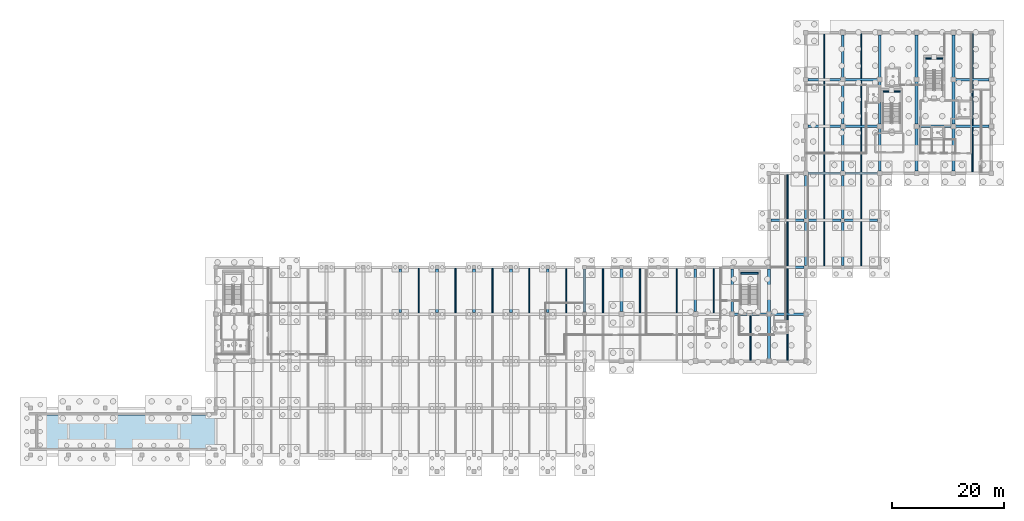
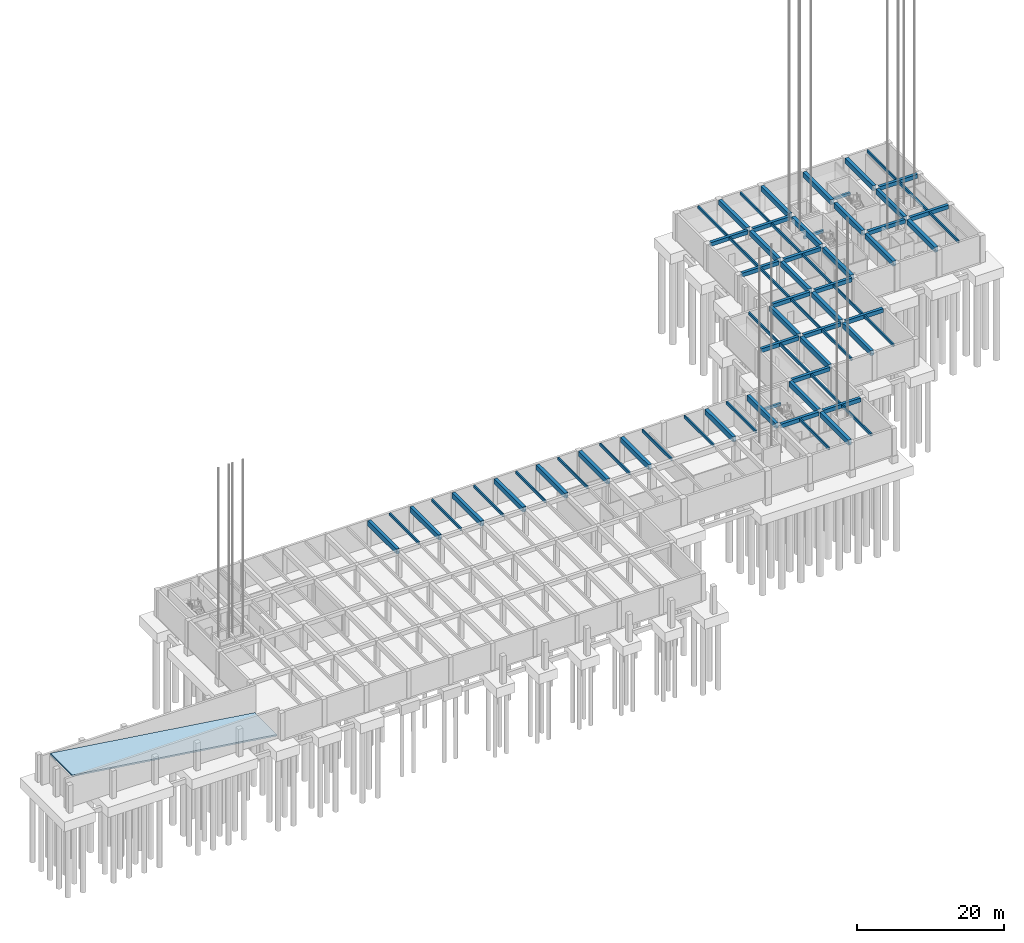
# One storey, part 7 of 44: 72 beams, 1 slab.
"""IFC4 building model written with IfcOpenShell, lengths in metres."""

from ifc_helpers import new_model, si_unit, direction, frame, origin, origin_2d, place, context, subcontext, project, spatial, polyline, rectangle, outline, extrude, material, layer, layer_set, material_profile, profile_set, type_object, element, save


model = new_model("IFC4")

# Units and contexts
model_context = context("Model", 3, precision=1e-05, world=origin(), true_north=direction((0.0, 1.0)))
body_context = subcontext(model_context, "Body", "Model", "MODEL_VIEW")
ifc_project = project(units=[si_unit("LENGTHUNIT", "METRE"), si_unit("AREAUNIT", "SQUARE_METRE"), si_unit("VOLUMEUNIT", "CUBIC_METRE"), si_unit("PLANEANGLEUNIT", "RADIAN"), si_unit("MASSUNIT", "GRAM", prefix="KILO")], contexts=[model_context])

# Site, building, storey
site_placement = place(None, origin())
site = spatial("IfcSite", under=ifc_project, at=site_placement, CompositionType="ELEMENT")
building_placement = place(site_placement, origin())
building = spatial("IfcBuilding", under=site, at=building_placement, Name="Kolvaren Faculty of Natural Sciences", CompositionType="ELEMENT")
storey_placement = place(building_placement, frame((0.0, 0.0, -4.5)))
storey = spatial("IfcBuildingStorey", under=building, at=storey_placement, Name="B01", CompositionType="ELEMENT", Elevation=-4.5)

# Beams
ifc_material_1 = material(Name="Concrete C40/50", Category="concrete")
ifc_material_profile_1 = material_profile(ifc_material_1, rectangle(XDim=0.300048828125, YDim=0.449951171875, at=origin_2d()), Name="RC LNT 300x450")
ifc_profile_set_1 = profile_set([ifc_material_profile_1], Name="Concrete C40/50")
beam_type_1 = type_object("IfcBeamType", Name="CoreCouplingLintel_300x450", PredefinedType="LINTEL", material=ifc_profile_set_1)
beam_1_placement = place(storey_placement, frame((160.22509765625, 79.580078125, 1.824951171875), z_axis=(1.0, 0.0, 0.0), x_axis=(0.0, 1.0, 0.0)))
element("IfcBeam", 1, at=beam_1_placement, inside=storey, type_object=beam_type_1, Name="B01 ST-1 half-landing support lintel", PredefinedType="LINTEL", context=body_context, shape_type="SweptSolid", body=[
    extrude(rectangle(XDim=0.300048828125, YDim=0.449951171875, at=origin_2d()), origin(), (0.0, 0.0, 1.0), 3.0498046875),
])
for number, where, z_axis, x_axis, name in (
    (2, (152.625, 73.679931640625, 1.824951171875), (1.0, 0.0, 0.0), (0.0, 1.0, 0.0), "B01 ST-2 half-landing support lintel"),
    (3, (127.175048828125, 41.1298828125, 1.824951171875), (1.0, 0.0, 0.0), (0.0, 1.0, 0.0), "B01 ST-3 half-landing support lintel"),
):
    element("IfcBeam", number, at=place(storey_placement, frame(where, z_axis=z_axis, x_axis=x_axis)), inside=storey, type_object=beam_type_1, Name=name, PredefinedType="LINTEL", context=body_context, shape_type="SweptSolid", body=[
        extrude(rectangle(XDim=0.300048828125, YDim=0.449951171875, at=origin_2d()), origin(), (0.0, 0.0, 1.0), 3.050048828125),
    ])
ifc_material_2 = material(Name="Concrete C35/45", Category="concrete")
ifc_material_profile_2 = material_profile(ifc_material_2, rectangle(XDim=0.449951171875, YDim=0.64990234375, at=origin_2d()), Name="RC BM 450x650")
ifc_profile_set_2 = profile_set([ifc_material_profile_2], Name="Concrete C35/45")
beam_type_2 = type_object("IfcBeamType", Name="GridBeam_450x650", PredefinedType="BEAM", material=ifc_profile_set_2)
beam_2_placement = place(storey_placement, frame((125.949951171875, 33.800048828125, 4.175048828125), z_axis=(1.0, 0.0, 0.0), x_axis=(0.0, 1.0, 0.0)))
element("IfcBeam", 4, at=beam_2_placement, inside=storey, type_object=beam_type_2, Name="B01 beam BM-65 on grid E", PredefinedType="BEAM", context=body_context, shape_type="SweptSolid", body=[
    extrude(rectangle(XDim=0.449951171875, YDim=0.64990234375, at=origin_2d()), origin(), (0.0, 0.0, 1.0), 5.900146484375),
])
for number, where, z_axis, x_axis, name in (
    (5, (132.550048828125, 33.800048828125, 4.175048828125), (1.0, 0.0, 0.0), (0.0, 1.0, 0.0), "B01 beam BM-65 on grid E"),
    (6, (132.550048828125, 42.199951171875, 4.175048828125), (1.0, 0.0, 0.0), (0.0, 1.0, 0.0), "B01 beam BM-65 on grid F"),
    (7, (132.550048828125, 50.60009765625, 4.175048828125), (1.0, 0.0, 0.0), (0.0, 1.0, 0.0), "B01 beam BM-65 on grid G"),
):
    element("IfcBeam", number, at=place(storey_placement, frame(where, z_axis=z_axis, x_axis=x_axis)), inside=storey, type_object=beam_type_2, Name=name, PredefinedType="BEAM", context=body_context, shape_type="SweptSolid", body=[
        extrude(rectangle(XDim=0.449951171875, YDim=0.64990234375, at=origin_2d()), origin(), (0.0, 0.0, 1.0), 5.89990234375),
    ])
beam_3_placement = place(storey_placement, frame((139.14990234375, 50.60009765625, 4.175048828125), z_axis=(1.0, 0.0, 0.0), x_axis=(0.0, 1.0, 0.0)))
element("IfcBeam", 8, at=beam_3_placement, inside=storey, type_object=beam_type_2, Name="B01 beam BM-65 on grid G", PredefinedType="BEAM", context=body_context, shape_type="SweptSolid", body=[
    extrude(rectangle(XDim=0.449951171875, YDim=0.64990234375, at=origin_2d()), origin(), (0.0, 0.0, 1.0), 5.900146484375),
])
beam_4_placement = place(storey_placement, frame((145.75, 50.60009765625, 4.175048828125), z_axis=(1.0, 0.0, 0.0), x_axis=(0.0, 1.0, 0.0)))
element("IfcBeam", 9, at=beam_4_placement, inside=storey, type_object=beam_type_2, Name="B01 beam BM-65 on grid G", PredefinedType="BEAM", context=body_context, shape_type="SweptSolid", body=[
    extrude(rectangle(XDim=0.449951171875, YDim=0.64990234375, at=origin_2d()), origin(), (0.0, 0.0, 1.0), 5.89990234375),
])
for number, where, z_axis, x_axis, name in (
    (10, (139.199951171875, 59.0, 4.175048828125), (1.0, 0.0, 0.0), (0.0, 1.0, 0.0), "B01 beam BM-65 on grid H"),
    (11, (145.800048828125, 59.0, 4.175048828125), (1.0, 0.0, 0.0), (0.0, 1.0, 0.0), "B01 beam BM-65 on grid H"),
    (12, (139.199951171875, 67.39990234375, 4.175048828125), (1.0, 0.0, 0.0), (0.0, 1.0, 0.0), "B01 beam BM-65 on grid J"),
    (13, (145.800048828125, 67.39990234375, 4.175048828125), (1.0, 0.0, 0.0), (0.0, 1.0, 0.0), "B01 beam BM-65 on grid J"),
    (14, (159.0, 67.39990234375, 4.175048828125), (1.0, 0.0, 0.0), (0.0, 1.0, 0.0), "B01 beam BM-65 on grid J"),
):
    element("IfcBeam", number, at=place(storey_placement, frame(where, z_axis=z_axis, x_axis=x_axis)), inside=storey, type_object=beam_type_2, Name=name, PredefinedType="BEAM", context=body_context, shape_type="SweptSolid", body=[
        extrude(rectangle(XDim=0.449951171875, YDim=0.64990234375, at=origin_2d()), origin(), (0.0, 0.0, 1.0), 5.800048828125),
    ])
beam_5_placement = place(storey_placement, frame((165.60009765625, 67.39990234375, 4.175048828125), z_axis=(1.0, 0.0, 0.0), x_axis=(0.0, 1.0, 0.0)))
element("IfcBeam", 15, at=beam_5_placement, inside=storey, type_object=beam_type_2, Name="B01 beam BM-65 on grid J", PredefinedType="BEAM", context=body_context, shape_type="SweptSolid", body=[
    extrude(rectangle(XDim=0.449951171875, YDim=0.64990234375, at=origin_2d()), origin(), (0.0, 0.0, 1.0), 6.0),
])
for number, where, z_axis, x_axis, name in (
    (16, (139.199951171875, 75.800048828125, 4.175048828125), (1.0, 0.0, 0.0), (0.0, 1.0, 0.0), "B01 beam BM-65 on grid K"),
    (17, (145.800048828125, 75.800048828125, 4.175048828125), (1.0, 0.0, 0.0), (0.0, 1.0, 0.0), "B01 beam BM-65 on grid K"),
):
    element("IfcBeam", number, at=place(storey_placement, frame(where, z_axis=z_axis, x_axis=x_axis)), inside=storey, type_object=beam_type_2, Name=name, PredefinedType="BEAM", context=body_context, shape_type="SweptSolid", body=[
        extrude(rectangle(XDim=0.449951171875, YDim=0.64990234375, at=origin_2d()), origin(), (0.0, 0.0, 1.0), 5.800048828125),
    ])
beam_6_placement = place(storey_placement, frame((165.60009765625, 75.800048828125, 4.175048828125), z_axis=(1.0, 0.0, 0.0), x_axis=(0.0, 1.0, 0.0)))
element("IfcBeam", 18, at=beam_6_placement, inside=storey, type_object=beam_type_2, Name="B01 beam BM-65 on grid K", PredefinedType="BEAM", context=body_context, shape_type="SweptSolid", body=[
    extrude(rectangle(XDim=0.449951171875, YDim=0.64990234375, at=origin_2d()), origin(), (0.0, 0.0, 1.0), 6.0),
])
ifc_material_profile_3 = material_profile(ifc_material_2, rectangle(XDim=0.219970703125, YDim=0.449951171875, at=origin_2d()), Name="RC JST 220x450")
ifc_profile_set_3 = profile_set([ifc_material_profile_3], Name="Concrete C35/45")
beam_type_3 = type_object("IfcBeamType", Name="OfficeRibJoist_220x450", PredefinedType="JOIST", material=ifc_profile_set_3)
for number, where, z_axis, x_axis, name in (
    (19, (69.5, 34.02490234375, 4.27490234375), (0.0, 1.0, 0.0), (-1.0, 0.0, 0.0), "B01 ribbed laboratory slab joist JS-45"),
    (20, (76.10009765625, 34.02490234375, 4.27490234375), (0.0, 1.0, 0.0), (-1.0, 0.0, 0.0), "B01 ribbed laboratory slab joist JS-45"),
    (21, (82.699951171875, 34.02490234375, 4.27490234375), (0.0, 1.0, 0.0), (-1.0, 0.0, 0.0), "B01 ribbed laboratory slab joist JS-45"),
    (22, (89.300048828125, 34.02490234375, 4.27490234375), (0.0, 1.0, 0.0), (-1.0, 0.0, 0.0), "B01 ribbed laboratory slab joist JS-45"),
    (23, (95.89990234375, 34.02490234375, 4.27490234375), (0.0, 1.0, 0.0), (-1.0, 0.0, 0.0), "B01 ribbed laboratory slab joist JS-45"),
    (24, (102.5, 34.02490234375, 4.27490234375), (0.0, 1.0, 0.0), (-1.0, 0.0, 0.0), "B01 ribbed laboratory slab joist JS-45"),
):
    element("IfcBeam", number, at=place(storey_placement, frame(where, z_axis=z_axis, x_axis=x_axis)), inside=storey, type_object=beam_type_3, Name=name, PredefinedType="JOIST", context=body_context, shape_type="SweptSolid", body=[
        extrude(rectangle(XDim=0.219970703125, YDim=0.449951171875, at=origin_2d()), origin(), (0.0, 0.0, 1.0), 8.0),
    ])
for number, where, z_axis, x_axis, name in (
    (25, (109.10009765625, 34.074951171875, 4.27490234375), (0.0, 1.0, 0.0), (-1.0, 0.0, 0.0), "B01 ribbed laboratory slab joist JS-45"),
    (26, (115.699951171875, 34.074951171875, 4.27490234375), (0.0, 1.0, 0.0), (-1.0, 0.0, 0.0), "B01 ribbed laboratory slab joist JS-45"),
):
    element("IfcBeam", number, at=place(storey_placement, frame(where, z_axis=z_axis, x_axis=x_axis)), inside=storey, type_object=beam_type_3, Name=name, PredefinedType="JOIST", context=body_context, shape_type="SweptSolid", body=[
        extrude(rectangle(XDim=0.219970703125, YDim=0.449951171875, at=origin_2d()), origin(), (0.0, 0.0, 1.0), 7.949951171875),
    ])
for number, where, z_axis, x_axis, name in (
    (27, (122.300048828125, 34.02490234375, 4.27490234375), (0.0, 1.0, 0.0), (-1.0, 0.0, 0.0), "B01 ribbed laboratory slab joist JS-45"),
    (28, (128.89990234375, 25.574951171875, 4.27490234375), (0.0, 1.0, 0.0), (-1.0, 0.0, 0.0), "B01 ribbed laboratory slab joist JS-45"),
    (29, (135.5, 25.574951171875, 4.27490234375), (0.0, 1.0, 0.0), (-1.0, 0.0, 0.0), "B01 ribbed laboratory slab joist JS-45"),
):
    element("IfcBeam", number, at=place(storey_placement, frame(where, z_axis=z_axis, x_axis=x_axis)), inside=storey, type_object=beam_type_3, Name=name, PredefinedType="JOIST", context=body_context, shape_type="SweptSolid", body=[
        extrude(rectangle(XDim=0.219970703125, YDim=0.449951171875, at=origin_2d()), origin(), (0.0, 0.0, 1.0), 8.0),
    ])
beam_7_placement = place(storey_placement, frame((135.5, 34.02490234375, 4.27490234375), z_axis=(0.0, 1.0, 0.0), x_axis=(-1.0, 0.0, 0.0)))
element("IfcBeam", 30, at=beam_7_placement, inside=storey, type_object=beam_type_3, Name="B01 ribbed laboratory slab joist JS-45", PredefinedType="JOIST", context=body_context, shape_type="SweptSolid", body=[
    extrude(rectangle(XDim=0.219970703125, YDim=0.449951171875, at=origin_2d()), origin(), (0.0, 0.0, 1.0), 7.9501953125),
])
beam_8_placement = place(storey_placement, frame((135.5, 42.425048828125, 4.27490234375), z_axis=(0.0, 1.0, 0.0), x_axis=(-1.0, 0.0, 0.0)))
element("IfcBeam", 31, at=beam_8_placement, inside=storey, type_object=beam_type_3, Name="B01 ribbed laboratory slab joist JS-45", PredefinedType="JOIST", context=body_context, shape_type="SweptSolid", body=[
    extrude(rectangle(XDim=0.219970703125, YDim=0.449951171875, at=origin_2d()), origin(), (0.0, 0.0, 1.0), 7.949951171875),
])
for number, where, z_axis, x_axis, name in (
    (32, (135.5, 50.824951171875, 4.27490234375), (0.0, 1.0, 0.0), (-1.0, 0.0, 0.0), "B01 ribbed laboratory slab joist JS-45"),
    (33, (142.10009765625, 42.375, 4.27490234375), (0.0, 1.0, 0.0), (-1.0, 0.0, 0.0), "B01 ribbed laboratory slab joist JS-45"),
):
    element("IfcBeam", number, at=place(storey_placement, frame(where, z_axis=z_axis, x_axis=x_axis)), inside=storey, type_object=beam_type_3, Name=name, PredefinedType="JOIST", context=body_context, shape_type="SweptSolid", body=[
        extrude(rectangle(XDim=0.219970703125, YDim=0.449951171875, at=origin_2d()), origin(), (0.0, 0.0, 1.0), 8.0),
    ])
for number, where, z_axis, x_axis, name in (
    (34, (142.10009765625, 50.824951171875, 4.27490234375), (0.0, 1.0, 0.0), (-1.0, 0.0, 0.0), "B01 ribbed laboratory slab joist JS-45"),
    (35, (142.10009765625, 59.22509765625, 4.27490234375), (0.0, 1.0, 0.0), (-1.0, 0.0, 0.0), "B01 ribbed laboratory slab joist JS-45"),
    (36, (142.10009765625, 67.625, 4.27490234375), (0.0, 1.0, 0.0), (-1.0, 0.0, 0.0), "B01 ribbed laboratory slab joist JS-45"),
):
    element("IfcBeam", number, at=place(storey_placement, frame(where, z_axis=z_axis, x_axis=x_axis)), inside=storey, type_object=beam_type_3, Name=name, PredefinedType="JOIST", context=body_context, shape_type="SweptSolid", body=[
        extrude(rectangle(XDim=0.219970703125, YDim=0.449951171875, at=origin_2d()), origin(), (0.0, 0.0, 1.0), 7.949951171875),
    ])
for number, where, z_axis, x_axis, name in (
    (37, (142.10009765625, 76.02490234375, 4.27490234375), (0.0, 1.0, 0.0), (-1.0, 0.0, 0.0), "B01 ribbed laboratory slab joist JS-45"),
    (38, (148.699951171875, 42.375, 4.27490234375), (0.0, 1.0, 0.0), (-1.0, 0.0, 0.0), "B01 ribbed laboratory slab joist JS-45"),
):
    element("IfcBeam", number, at=place(storey_placement, frame(where, z_axis=z_axis, x_axis=x_axis)), inside=storey, type_object=beam_type_3, Name=name, PredefinedType="JOIST", context=body_context, shape_type="SweptSolid", body=[
        extrude(rectangle(XDim=0.219970703125, YDim=0.449951171875, at=origin_2d()), origin(), (0.0, 0.0, 1.0), 8.0),
    ])
for number, where, z_axis, x_axis, name in (
    (39, (148.699951171875, 50.824951171875, 4.27490234375), (0.0, 1.0, 0.0), (-1.0, 0.0, 0.0), "B01 ribbed laboratory slab joist JS-45"),
    (40, (148.699951171875, 59.22509765625, 4.27490234375), (0.0, 1.0, 0.0), (-1.0, 0.0, 0.0), "B01 ribbed laboratory slab joist JS-45"),
    (41, (148.699951171875, 67.625, 4.27490234375), (0.0, 1.0, 0.0), (-1.0, 0.0, 0.0), "B01 ribbed laboratory slab joist JS-45"),
):
    element("IfcBeam", number, at=place(storey_placement, frame(where, z_axis=z_axis, x_axis=x_axis)), inside=storey, type_object=beam_type_3, Name=name, PredefinedType="JOIST", context=body_context, shape_type="SweptSolid", body=[
        extrude(rectangle(XDim=0.219970703125, YDim=0.449951171875, at=origin_2d()), origin(), (0.0, 0.0, 1.0), 7.949951171875),
    ])
for number, where, z_axis, x_axis, name in (
    (42, (148.699951171875, 76.02490234375, 4.27490234375), (0.0, 1.0, 0.0), (-1.0, 0.0, 0.0), "B01 ribbed laboratory slab joist JS-45"),
    (43, (168.60009765625, 59.175048828125, 4.27490234375), (0.0, 1.0, 0.0), (-1.0, 0.0, 0.0), "B01 ribbed laboratory slab joist JS-45"),
):
    element("IfcBeam", number, at=place(storey_placement, frame(where, z_axis=z_axis, x_axis=x_axis)), inside=storey, type_object=beam_type_3, Name=name, PredefinedType="JOIST", context=body_context, shape_type="SweptSolid", body=[
        extrude(rectangle(XDim=0.219970703125, YDim=0.449951171875, at=origin_2d()), origin(), (0.0, 0.0, 1.0), 8.0),
    ])
beam_9_placement = place(storey_placement, frame((168.60009765625, 67.625, 4.27490234375), z_axis=(0.0, 1.0, 0.0), x_axis=(-1.0, 0.0, 0.0)))
element("IfcBeam", 44, at=beam_9_placement, inside=storey, type_object=beam_type_3, Name="B01 ribbed laboratory slab joist JS-45", PredefinedType="JOIST", context=body_context, shape_type="SweptSolid", body=[
    extrude(rectangle(XDim=0.219970703125, YDim=0.449951171875, at=origin_2d()), origin(), (0.0, 0.0, 1.0), 7.949951171875),
])
beam_10_placement = place(storey_placement, frame((168.60009765625, 76.02490234375, 4.27490234375), z_axis=(0.0, 1.0, 0.0), x_axis=(-1.0, 0.0, 0.0)))
element("IfcBeam", 45, at=beam_10_placement, inside=storey, type_object=beam_type_3, Name="B01 ribbed laboratory slab joist JS-45", PredefinedType="JOIST", context=body_context, shape_type="SweptSolid", body=[
    extrude(rectangle(XDim=0.219970703125, YDim=0.449951171875, at=origin_2d()), origin(), (0.0, 0.0, 1.0), 8.0),
])
ifc_material_profile_4 = material_profile(ifc_material_2, rectangle(XDim=0.5, YDim=0.85009765625, at=origin_2d()), Name="RC BM 500x850")
ifc_profile_set_4 = profile_set([ifc_material_profile_4], Name="Concrete C35/45")
beam_type_4 = type_object("IfcBeamType", Name="PrimaryGirder_500x850", PredefinedType="BEAM", material=ifc_profile_set_4)
for number, where, z_axis, x_axis, name in (
    (46, (66.199951171875, 34.10009765625, 4.074951171875), (0.0, 1.0, 0.0), (-1.0, 0.0, 0.0), "B01 girder BG-85 on grid 11"),
    (47, (72.800048828125, 34.10009765625, 4.074951171875), (0.0, 1.0, 0.0), (-1.0, 0.0, 0.0), "B01 girder BG-85 on grid 12"),
    (48, (79.39990234375, 34.10009765625, 4.074951171875), (0.0, 1.0, 0.0), (-1.0, 0.0, 0.0), "B01 girder BG-85 on grid 13"),
    (49, (86.0, 34.10009765625, 4.074951171875), (0.0, 1.0, 0.0), (-1.0, 0.0, 0.0), "B01 girder BG-85 on grid 14"),
    (50, (92.60009765625, 34.10009765625, 4.074951171875), (0.0, 1.0, 0.0), (-1.0, 0.0, 0.0), "B01 girder BG-85 on grid 15"),
):
    element("IfcBeam", number, at=place(storey_placement, frame(where, z_axis=z_axis, x_axis=x_axis)), inside=storey, type_object=beam_type_4, Name=name, PredefinedType="BEAM", context=body_context, shape_type="SweptSolid", body=[
        extrude(rectangle(XDim=0.5, YDim=0.85009765625, at=origin_2d()), origin(), (0.0, 0.0, 1.0), 7.7998046875),
    ])
beam_11_placement = place(storey_placement, frame((99.199951171875, 34.14990234375, 4.074951171875), z_axis=(0.0, 1.0, 0.0), x_axis=(-1.0, 0.0, 0.0)))
element("IfcBeam", 51, at=beam_11_placement, inside=storey, type_object=beam_type_4, Name="B01 girder BG-85 on grid 16", PredefinedType="BEAM", context=body_context, shape_type="SweptSolid", body=[
    extrude(rectangle(XDim=0.5, YDim=0.85009765625, at=origin_2d()), origin(), (0.0, 0.0, 1.0), 7.7001953125),
])
for number, where, z_axis, x_axis, name in (
    (52, (105.800048828125, 34.25, 4.074951171875), (0.0, 1.0, 0.0), (-1.0, 0.0, 0.0), "B01 girder BG-85 on grid 17"),
    (53, (119.0, 34.25, 4.074951171875), (0.0, 1.0, 0.0), (-1.0, 0.0, 0.0), "B01 girder BG-85 on grid 19"),
):
    element("IfcBeam", number, at=place(storey_placement, frame(where, z_axis=z_axis, x_axis=x_axis)), inside=storey, type_object=beam_type_4, Name=name, PredefinedType="BEAM", context=body_context, shape_type="SweptSolid", body=[
        extrude(rectangle(XDim=0.5, YDim=0.85009765625, at=origin_2d()), origin(), (0.0, 0.0, 1.0), 7.60009765625),
    ])
beam_12_placement = place(storey_placement, frame((125.60009765625, 34.14990234375, 4.074951171875), z_axis=(0.0, 1.0, 0.0), x_axis=(-1.0, 0.0, 0.0)))
element("IfcBeam", 54, at=beam_12_placement, inside=storey, type_object=beam_type_4, Name="B01 girder BG-85 on grid 20", PredefinedType="BEAM", context=body_context, shape_type="SweptSolid", body=[
    extrude(rectangle(XDim=0.5, YDim=0.85009765625, at=origin_2d()), origin(), (0.0, 0.0, 1.0), 7.7001953125),
])
beam_13_placement = place(storey_placement, frame((132.199951171875, 25.75, 4.074951171875), z_axis=(0.0, 1.0, 0.0), x_axis=(-1.0, 0.0, 0.0)))
element("IfcBeam", 55, at=beam_13_placement, inside=storey, type_object=beam_type_4, Name="B01 girder BG-85 on grid 21", PredefinedType="BEAM", context=body_context, shape_type="SweptSolid", body=[
    extrude(rectangle(XDim=0.5, YDim=0.85009765625, at=origin_2d()), origin(), (0.0, 0.0, 1.0), 7.699951171875),
])
beam_14_placement = place(storey_placement, frame((132.199951171875, 34.14990234375, 4.074951171875), z_axis=(0.0, 1.0, 0.0), x_axis=(-1.0, 0.0, 0.0)))
element("IfcBeam", 56, at=beam_14_placement, inside=storey, type_object=beam_type_4, Name="B01 girder BG-85 on grid 21", PredefinedType="BEAM", context=body_context, shape_type="SweptSolid", body=[
    extrude(rectangle(XDim=0.5, YDim=0.85009765625, at=origin_2d()), origin(), (0.0, 0.0, 1.0), 7.7001953125),
])
beam_15_placement = place(storey_placement, frame((138.800048828125, 42.550048828125, 4.074951171875), z_axis=(0.0, 1.0, 0.0), x_axis=(-1.0, 0.0, 0.0)))
element("IfcBeam", 57, at=beam_15_placement, inside=storey, type_object=beam_type_4, Name="B01 girder BG-85 on grid 22", PredefinedType="BEAM", context=body_context, shape_type="SweptSolid", body=[
    extrude(rectangle(XDim=0.5, YDim=0.85009765625, at=origin_2d()), origin(), (0.0, 0.0, 1.0), 7.699951171875),
])
beam_16_placement = place(storey_placement, frame((138.800048828125, 50.949951171875, 4.074951171875), z_axis=(0.0, 1.0, 0.0), x_axis=(-1.0, 0.0, 0.0)))
element("IfcBeam", 58, at=beam_16_placement, inside=storey, type_object=beam_type_4, Name="B01 girder BG-85 on grid 22", PredefinedType="BEAM", context=body_context, shape_type="SweptSolid", body=[
    extrude(rectangle(XDim=0.5, YDim=0.85009765625, at=origin_2d()), origin(), (0.0, 0.0, 1.0), 7.650146484375),
])
beam_17_placement = place(storey_placement, frame((145.39990234375, 42.550048828125, 4.074951171875), z_axis=(0.0, 1.0, 0.0), x_axis=(-1.0, 0.0, 0.0)))
element("IfcBeam", 59, at=beam_17_placement, inside=storey, type_object=beam_type_4, Name="B01 girder BG-85 on grid 23", PredefinedType="BEAM", context=body_context, shape_type="SweptSolid", body=[
    extrude(rectangle(XDim=0.5, YDim=0.85009765625, at=origin_2d()), origin(), (0.0, 0.0, 1.0), 7.699951171875),
])
beam_18_placement = place(storey_placement, frame((145.39990234375, 50.949951171875, 4.074951171875), z_axis=(0.0, 1.0, 0.0), x_axis=(-1.0, 0.0, 0.0)))
element("IfcBeam", 60, at=beam_18_placement, inside=storey, type_object=beam_type_4, Name="B01 girder BG-85 on grid 23", PredefinedType="BEAM", context=body_context, shape_type="SweptSolid", body=[
    extrude(rectangle(XDim=0.5, YDim=0.85009765625, at=origin_2d()), origin(), (0.0, 0.0, 1.0), 7.650146484375),
])
beam_19_placement = place(storey_placement, frame((145.39990234375, 59.39990234375, 4.074951171875), z_axis=(0.0, 1.0, 0.0), x_axis=(-1.0, 0.0, 0.0)))
element("IfcBeam", 61, at=beam_19_placement, inside=storey, type_object=beam_type_4, Name="B01 girder BG-85 on grid 23", PredefinedType="BEAM", context=body_context, shape_type="SweptSolid", body=[
    extrude(rectangle(XDim=0.5, YDim=0.85009765625, at=origin_2d()), origin(), (0.0, 0.0, 1.0), 7.60009765625),
])
beam_20_placement = place(storey_placement, frame((145.39990234375, 67.800048828125, 4.074951171875), z_axis=(0.0, 1.0, 0.0), x_axis=(-1.0, 0.0, 0.0)))
element("IfcBeam", 62, at=beam_20_placement, inside=storey, type_object=beam_type_4, Name="B01 girder BG-85 on grid 23", PredefinedType="BEAM", context=body_context, shape_type="SweptSolid", body=[
    extrude(rectangle(XDim=0.5, YDim=0.85009765625, at=origin_2d()), origin(), (0.0, 0.0, 1.0), 7.599853515625),
])
for number, where, z_axis, x_axis, name in (
    (63, (145.39990234375, 76.199951171875, 4.074951171875), (0.0, 1.0, 0.0), (-1.0, 0.0, 0.0), "B01 girder BG-85 on grid 23"),
    (64, (152.0, 59.39990234375, 4.074951171875), (0.0, 1.0, 0.0), (-1.0, 0.0, 0.0), "B01 girder BG-85 on grid 24"),
):
    element("IfcBeam", number, at=place(storey_placement, frame(where, z_axis=z_axis, x_axis=x_axis)), inside=storey, type_object=beam_type_4, Name=name, PredefinedType="BEAM", context=body_context, shape_type="SweptSolid", body=[
        extrude(rectangle(XDim=0.5, YDim=0.85009765625, at=origin_2d()), origin(), (0.0, 0.0, 1.0), 7.60009765625),
    ])
beam_21_placement = place(storey_placement, frame((152.0, 67.800048828125, 4.074951171875), z_axis=(0.0, 1.0, 0.0), x_axis=(-1.0, 0.0, 0.0)))
element("IfcBeam", 65, at=beam_21_placement, inside=storey, type_object=beam_type_4, Name="B01 girder BG-85 on grid 24", PredefinedType="BEAM", context=body_context, shape_type="SweptSolid", body=[
    extrude(rectangle(XDim=0.5, YDim=0.85009765625, at=origin_2d()), origin(), (0.0, 0.0, 1.0), 7.599853515625),
])
for number, where, z_axis, x_axis, name in (
    (66, (152.0, 76.199951171875, 4.074951171875), (0.0, 1.0, 0.0), (-1.0, 0.0, 0.0), "B01 girder BG-85 on grid 24"),
    (67, (158.60009765625, 59.39990234375, 4.074951171875), (0.0, 1.0, 0.0), (-1.0, 0.0, 0.0), "B01 girder BG-85 on grid 25"),
):
    element("IfcBeam", number, at=place(storey_placement, frame(where, z_axis=z_axis, x_axis=x_axis)), inside=storey, type_object=beam_type_4, Name=name, PredefinedType="BEAM", context=body_context, shape_type="SweptSolid", body=[
        extrude(rectangle(XDim=0.5, YDim=0.85009765625, at=origin_2d()), origin(), (0.0, 0.0, 1.0), 7.60009765625),
    ])
beam_22_placement = place(storey_placement, frame((158.60009765625, 67.800048828125, 4.074951171875), z_axis=(0.0, 1.0, 0.0), x_axis=(-1.0, 0.0, 0.0)))
element("IfcBeam", 68, at=beam_22_placement, inside=storey, type_object=beam_type_4, Name="B01 girder BG-85 on grid 25", PredefinedType="BEAM", context=body_context, shape_type="SweptSolid", body=[
    extrude(rectangle(XDim=0.5, YDim=0.85009765625, at=origin_2d()), origin(), (0.0, 0.0, 1.0), 7.599853515625),
])
for number, where, z_axis, x_axis, name in (
    (69, (158.60009765625, 76.199951171875, 4.074951171875), (0.0, 1.0, 0.0), (-1.0, 0.0, 0.0), "B01 girder BG-85 on grid 25"),
    (70, (165.199951171875, 59.39990234375, 4.074951171875), (0.0, 1.0, 0.0), (-1.0, 0.0, 0.0), "B01 girder BG-85 on grid 26"),
):
    element("IfcBeam", number, at=place(storey_placement, frame(where, z_axis=z_axis, x_axis=x_axis)), inside=storey, type_object=beam_type_4, Name=name, PredefinedType="BEAM", context=body_context, shape_type="SweptSolid", body=[
        extrude(rectangle(XDim=0.5, YDim=0.85009765625, at=origin_2d()), origin(), (0.0, 0.0, 1.0), 7.60009765625),
    ])
beam_23_placement = place(storey_placement, frame((165.199951171875, 67.800048828125, 4.074951171875), z_axis=(0.0, 1.0, 0.0), x_axis=(-1.0, 0.0, 0.0)))
element("IfcBeam", 71, at=beam_23_placement, inside=storey, type_object=beam_type_4, Name="B01 girder BG-85 on grid 26", PredefinedType="BEAM", context=body_context, shape_type="SweptSolid", body=[
    extrude(rectangle(XDim=0.5, YDim=0.85009765625, at=origin_2d()), origin(), (0.0, 0.0, 1.0), 7.599853515625),
])
beam_24_placement = place(storey_placement, frame((165.199951171875, 76.199951171875, 4.074951171875), z_axis=(0.0, 1.0, 0.0), x_axis=(-1.0, 0.0, 0.0)))
element("IfcBeam", 72, at=beam_24_placement, inside=storey, type_object=beam_type_4, Name="B01 girder BG-85 on grid 26", PredefinedType="BEAM", context=body_context, shape_type="SweptSolid", body=[
    extrude(rectangle(XDim=0.5, YDim=0.85009765625, at=origin_2d()), origin(), (0.0, 0.0, 1.0), 7.60009765625),
])

# Slab
ifc_layer = layer(ifc_material_2, 0.25)
ifc_layer_set = layer_set([ifc_layer], Name="Concrete C35/45")
slab_type = type_object("IfcSlabType", Name="VehicleRampSlab_250", PredefinedType="FLOOR", material=ifc_layer_set)
slab_placement = place(storey_placement, frame((33.199951171875, 9.800048828125, 0.0), z_axis=(0.139041580594, 0.0, 0.990286543817), x_axis=(-0.990286543817, 0.0, 0.139041580594)))
element("IfcSlab", 73, at=slab_placement, inside=storey, type_object=slab_type, Name="Car park two-way vehicle ramp structural slab VR-1", PredefinedType="FLOOR", context=body_context, shape_type="SweptSolid", body=[
    extrude(outline(polyline([(0.0, 0.0), (32.364419195857614, 0.0), (32.364419195857614, -6.0), (0.0, -6.0), (0.0, 0.0)])), origin(), (0.0, 0.0, -1.0), 0.25),
])

save(model, "model.ifc")
